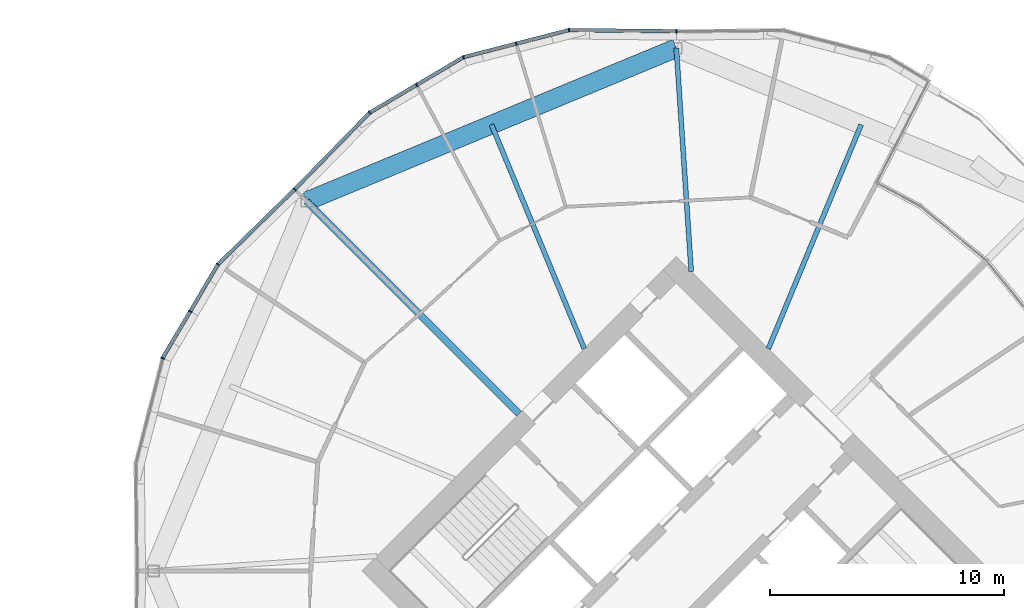
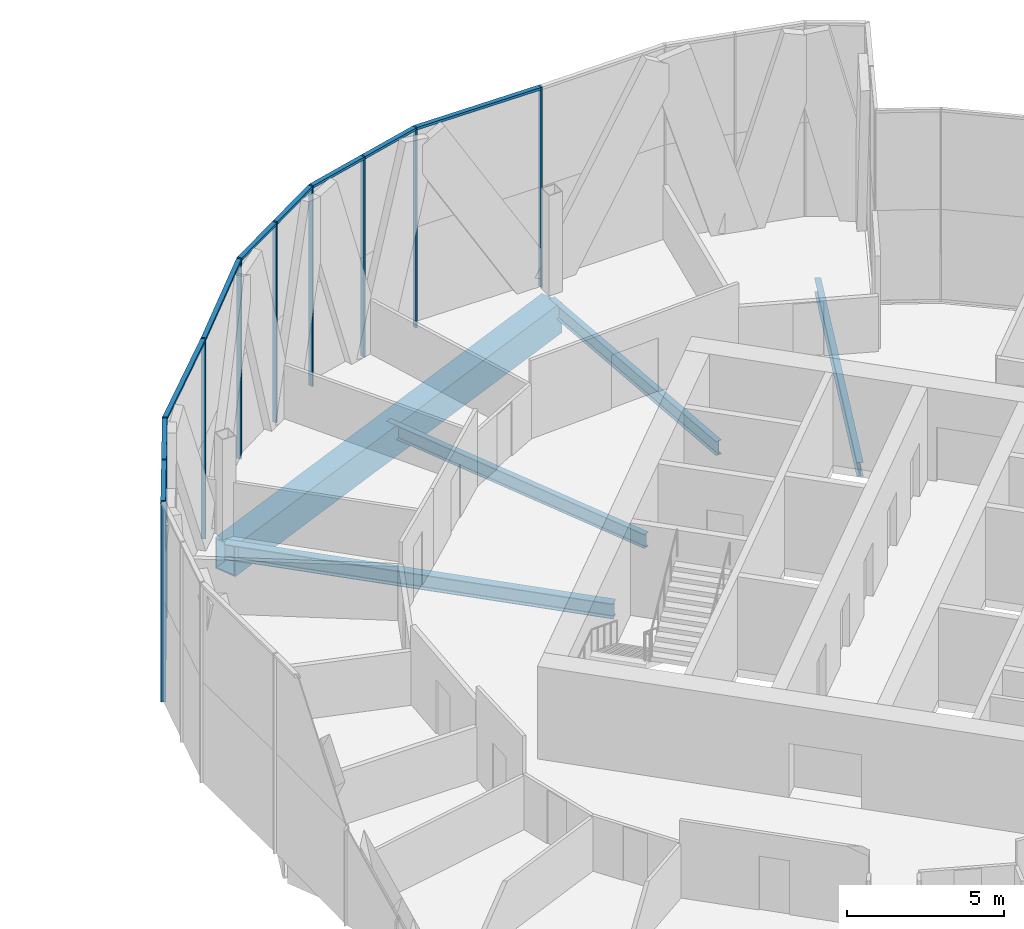
# One storey, part 14 of 27: 19 members, 5 beams, 3 elements without a shape of their own.
"""IFC4 building model written with IfcOpenShell, lengths in metres."""

from ifc_helpers import new_model, si_unit, direction, frame, origin, origin_2d, place, context, subcontext, project, spatial, rectangle, hollow_rectangle, i_section, extrude, material, material_profile, profile_set, type_object, element, aggregate, save


model = new_model("IFC4")

# Units and contexts
model_context = context("Model", 3, precision=1e-05, world=origin(), true_north=direction((0.0, 1.0)))
body_context = subcontext(model_context, "Body", "Model", "MODEL_VIEW")
ifc_project = project(units=[si_unit("LENGTHUNIT", "METRE"), si_unit("AREAUNIT", "SQUARE_METRE"), si_unit("VOLUMEUNIT", "CUBIC_METRE"), si_unit("PLANEANGLEUNIT", "RADIAN"), si_unit("MASSUNIT", "GRAM", prefix="KILO")], contexts=[model_context])

# Site, building, storey
site_placement = place(None, origin())
site = spatial("IfcSite", under=ifc_project, at=site_placement, CompositionType="ELEMENT")
building_placement = place(site_placement, origin())
building = spatial("IfcBuilding", under=site, at=building_placement, Name="Ogive Gate Towers", CompositionType="ELEMENT")
storey_placement = place(building_placement, frame((0.0, 0.0, 123.0)))
storey = spatial("IfcBuildingStorey", under=building, at=storey_placement, Name="L29", CompositionType="ELEMENT", Elevation=123.0)

# Beams
ifc_material_1 = material(Name="Steel SM460", Category="steel")
ifc_material_profile_1 = material_profile(ifc_material_1, hollow_rectangle(XDim=0.800048828125, YDim=1.199951171875, WallThickness=0.050048828125, at=origin_2d()), Name="BX 1200x800x50")
ifc_profile_set_1 = profile_set([ifc_material_profile_1], Name="Steel SM460")
beam_type_1 = type_object("IfcBeamType", Name="Edge girder BX 1200x800x50", PredefinedType="BEAM", material=ifc_profile_set_1)
beam_1_placement = place(storey_placement, frame((36.0, 22.35009765625, -0.89990234375), z_axis=(-0.923880978344, -0.382679941797, 0.0), x_axis=(0.382679941797, -0.923880978344, 0.0)))
element("IfcBeam", 1, at=beam_1_placement, inside=storey, type_object=beam_type_1, Name="T2/L29/SBM022", PredefinedType="BEAM", context=body_context, shape_type="SweptSolid", body=[
    extrude(hollow_rectangle(XDim=0.800048828125, YDim=1.199951171875, WallThickness=0.050048828125, at=origin_2d()), origin(), (0.0, 0.0, 1.0), 17.10595703125),
])
ifc_material_2 = material(Name="Steel SM355", Category="steel")
ifc_material_profile_2 = material_profile(ifc_material_2, i_section(OverallWidth=0.300048828125, OverallDepth=0.590087890625, WebThickness=0.012939453125, FlangeThickness=0.02490234375, FilletRadius=0.027099609375, at=origin_2d()), Name="HE 600 A")
ifc_profile_set_2 = profile_set([ifc_material_profile_2], Name="Steel SM355")
beam_type_2 = type_object("IfcBeamType", Name="Radial floor beam HE 600 A", PredefinedType="BEAM", material=ifc_profile_set_2)
beam_2_placement = place(storey_placement, frame((29.282470703125, 6.717529296875, -0.594970703125), z_axis=(-0.707106781187, 0.707106781187, 0.0), x_axis=(-0.707106781187, -0.707106781187, 0.0)))
element("IfcBeam", 2, at=beam_2_placement, inside=storey, type_object=beam_type_2, Name="T2/L29/SBM013", PredefinedType="BEAM", context=body_context, shape_type="SweptSolid", body=[
    extrude(i_section(OverallWidth=0.300048828125, OverallDepth=0.590087890625, WebThickness=0.012939453125, FlangeThickness=0.02490234375, FilletRadius=0.027099609375, at=origin_2d()), origin(), (0.0, 0.0, 1.0), 12.85009765625),
])
ifc_material_profile_3 = material_profile(ifc_material_2, i_section(OverallWidth=0.2099609375, OverallDepth=0.550048828125, WebThickness=0.010986328125, FlangeThickness=0.01708984375, FilletRadius=0.02392578125, at=origin_2d()), Name="IPE 550")
ifc_profile_set_3 = profile_set([ifc_material_profile_3], Name="Steel SM355")
beam_type_3 = type_object("IfcBeamType", Name="Radial floor beam IPE 550", PredefinedType="BEAM", material=ifc_profile_set_3)
beam_3_placement = place(storey_placement, frame((39.93505859375, 9.5, -0.574951171875), z_axis=(0.382676287498, 0.92388249198, 0.0), x_axis=(-0.92388249198, 0.382676287498, 0.0)))
element("IfcBeam", 3, at=beam_3_placement, inside=storey, type_object=beam_type_3, Name="T2/L29/SBM010", PredefinedType="BEAM", context=body_context, shape_type="SweptSolid", body=[
    extrude(i_section(OverallWidth=0.2099609375, OverallDepth=0.550048828125, WebThickness=0.010986328125, FlangeThickness=0.01708984375, FilletRadius=0.02392578125, at=origin_2d()), origin(), (0.0, 0.0, 1.0), 10.365966796875),
])
beam_4_placement = place(storey_placement, frame((36.636474609375, 12.798583984375, -0.574951171875), z_axis=(-0.066488541289, 0.997787188672, 0.0), x_axis=(-0.997787188672, -0.066488541289, 0.0)))
element("IfcBeam", 4, at=beam_4_placement, inside=storey, type_object=beam_type_3, Name="T2/L29/SBM011", PredefinedType="BEAM", context=body_context, shape_type="SweptSolid", body=[
    extrude(i_section(OverallWidth=0.2099609375, OverallDepth=0.550048828125, WebThickness=0.010986328125, FlangeThickness=0.01708984375, FilletRadius=0.02392578125, at=origin_2d()), origin(), (0.0, 0.0, 1.0), 9.57275390625),
])
beam_5_placement = place(storey_placement, frame((32.06494140625, 9.5, -0.574951171875), z_axis=(-0.382676287498, 0.92388249198, 0.0), x_axis=(-0.92388249198, -0.382676287498, 0.0)))
element("IfcBeam", 5, at=beam_5_placement, inside=storey, type_object=beam_type_3, Name="T2/L29/SBM012", PredefinedType="BEAM", context=body_context, shape_type="SweptSolid", body=[
    extrude(i_section(OverallWidth=0.2099609375, OverallDepth=0.550048828125, WebThickness=0.010986328125, FlangeThickness=0.01708984375, FilletRadius=0.02392578125, at=origin_2d()), origin(), (0.0, 0.0, 1.0), 10.365966796875),
])

# Curtain wall, member
ifc_material_3 = material(Name="Pale metal aluminium", Category="aluminium")
curtain_wall_type = type_object("IfcCurtainWallType", Name="Tower unitised wall, low zone", PredefinedType="NOTDEFINED", material=ifc_material_3)
curtain_wall_1_placement = place(storey_placement, origin())
curtain_wall_1 = element("IfcCurtainWall", 6, at=curtain_wall_1_placement, inside=storey, type_object=curtain_wall_type, Name="CW1 T2 ECW04", PredefinedType="NOTDEFINED")
ifc_material_profile_4 = material_profile(ifc_material_3, rectangle(XDim=0.159912109375, YDim=0.06005859375, at=origin_2d()), Name="60 x 160 aluminium box")
ifc_profile_set_4 = profile_set([ifc_material_profile_4], Name="Pale metal aluminium")
member_type_1 = type_object("IfcMemberType", Name="Tower unitised wall, low zone mullion 60 x 160", PredefinedType="MULLION", material=ifc_profile_set_4)
member_1_placement = place(storey_placement, frame((35.999755859375, 23.070068359375, -0.300048828125), z_axis=(0.0, 0.0, 1.0), x_axis=(0.010820830182, -0.999941453103, 0.0)))
member_1 = element("IfcMember", 7, at=member_1_placement, type_object=member_type_1, Name="CW1 mullion", PredefinedType="MULLION", context=body_context, shape_type="SweptSolid", body=[
    extrude(rectangle(XDim=0.159912109375, YDim=0.06005859375, at=origin_2d()), origin(), (0.0, 0.0, 1.0), 7.800048828125),
])
aggregate(curtain_wall_1, [member_1])

# Curtain wall, members
curtain_wall_2_placement = place(storey_placement, origin())
curtain_wall_2 = element("IfcCurtainWall", 8, at=curtain_wall_2_placement, inside=storey, type_object=curtain_wall_type, Name="CW1 T2 ECW05", PredefinedType="NOTDEFINED")
member_2_placement = place(storey_placement, frame((19.68701171875, 16.312744140625, -0.300048828125), z_axis=(0.0, 0.0, 1.0), x_axis=(0.714704657494, -0.699426373935, 0.0)))
member_2 = element("IfcMember", 9, at=member_2_placement, type_object=member_type_1, Name="CW1 mullion", PredefinedType="MULLION", context=body_context, shape_type="SweptSolid", body=[
    extrude(rectangle(XDim=0.159912109375, YDim=0.06005859375, at=origin_2d()), origin(), (0.0, 0.0, 1.0), 7.800048828125),
])
member_3_placement = place(storey_placement, frame((22.897216796875, 19.593017578125, -0.300048828125), z_axis=(0.0, 0.0, 1.0), x_axis=(0.6171182794, -0.786870401801, 0.0)))
member_3 = element("IfcMember", 10, at=member_3_placement, type_object=member_type_1, Name="CW1 mullion", PredefinedType="MULLION", context=body_context, shape_type="SweptSolid", body=[
    extrude(rectangle(XDim=0.159912109375, YDim=0.06005859375, at=origin_2d()), origin(), (0.0, 0.0, 1.0), 7.800048828125),
])
member_4_placement = place(storey_placement, frame((24.900146484375, 20.77734375, -0.300048828125), z_axis=(0.0, 0.0, 1.0), x_axis=(0.508951276265, -0.860795328977, 0.0)))
member_4 = element("IfcMember", 11, at=member_4_placement, type_object=member_type_1, Name="CW1 mullion", PredefinedType="MULLION", context=body_context, shape_type="SweptSolid", body=[
    extrude(rectangle(XDim=0.159912109375, YDim=0.06005859375, at=origin_2d()), origin(), (0.0, 0.0, 1.0), 7.800048828125),
])
member_5_placement = place(storey_placement, frame((26.9033203125, 21.961669921875, -0.300048828125), z_axis=(0.0, 0.0, 1.0), x_axis=(0.382683432365, -0.923879532511, 0.0)))
member_5 = element("IfcMember", 12, at=member_5_placement, type_object=member_type_1, Name="CW1 mullion", PredefinedType="MULLION", context=body_context, shape_type="SweptSolid", body=[
    extrude(rectangle(XDim=0.159912109375, YDim=0.06005859375, at=origin_2d()), origin(), (0.0, 0.0, 1.0), 7.800048828125),
])
member_6_placement = place(storey_placement, frame((29.156982421875, 22.540771484375, -0.300048828125), z_axis=(0.0, 0.0, 1.0), x_axis=(0.248808220065, -0.968552770699, 0.0)))
member_6 = element("IfcMember", 13, at=member_6_placement, type_object=member_type_1, Name="CW1 mullion", PredefinedType="MULLION", context=body_context, shape_type="SweptSolid", body=[
    extrude(rectangle(XDim=0.159912109375, YDim=0.06005859375, at=origin_2d()), origin(), (0.0, 0.0, 1.0), 7.800048828125),
])
member_7_placement = place(storey_placement, frame((31.41064453125, 23.119384765625, -0.300048828125), z_axis=(0.0, 0.0, 1.0), x_axis=(0.12003287687, -0.992769917186, 0.0)))
member_7 = element("IfcMember", 14, at=member_7_placement, type_object=member_type_1, Name="CW1 mullion", PredefinedType="MULLION", context=body_context, shape_type="SweptSolid", body=[
    extrude(rectangle(XDim=0.159912109375, YDim=0.06005859375, at=origin_2d()), origin(), (0.0, 0.0, 1.0), 7.800048828125),
])

curtain_wall_3_placement = place(storey_placement, origin())
curtain_wall_3 = element("IfcCurtainWall", 15, at=curtain_wall_3_placement, inside=storey, type_object=curtain_wall_type, Name="CW1 T2 ECW06", PredefinedType="NOTDEFINED")
member_8_placement = place(storey_placement, frame((14.038330078125, 9.0966796875, -0.300048828125), z_axis=(0.0, 0.0, 1.0), x_axis=(0.923879532511, -0.382683432365, 0.0)))
member_8 = element("IfcMember", 16, at=member_8_placement, type_object=member_type_1, Name="CW1 mullion", PredefinedType="MULLION", context=body_context, shape_type="SweptSolid", body=[
    extrude(rectangle(XDim=0.159912109375, YDim=0.06005859375, at=origin_2d()), origin(), (0.0, 0.0, 1.0), 7.800048828125),
])
member_9_placement = place(storey_placement, frame((15.22265625, 11.099853515625, -0.300048828125), z_axis=(0.0, 0.0, 1.0), x_axis=(0.860795328977, -0.508951276265, 0.0)))
member_9 = element("IfcMember", 17, at=member_9_placement, type_object=member_type_1, Name="CW1 mullion", PredefinedType="MULLION", context=body_context, shape_type="SweptSolid", body=[
    extrude(rectangle(XDim=0.159912109375, YDim=0.06005859375, at=origin_2d()), origin(), (0.0, 0.0, 1.0), 7.800048828125),
])
member_10_placement = place(storey_placement, frame((16.406982421875, 13.102783203125, -0.300048828125), z_axis=(0.0, 0.0, 1.0), x_axis=(0.786870401801, -0.6171182794, 0.0)))
member_10 = element("IfcMember", 18, at=member_10_placement, type_object=member_type_1, Name="CW1 mullion", PredefinedType="MULLION", context=body_context, shape_type="SweptSolid", body=[
    extrude(rectangle(XDim=0.159912109375, YDim=0.06005859375, at=origin_2d()), origin(), (0.0, 0.0, 1.0), 7.800048828125),
])

# Member
ifc_material_profile_5 = material_profile(ifc_material_3, rectangle(XDim=0.159912109375, YDim=0.10009765625, at=origin_2d()), Name="100 x 160 aluminium box")
ifc_profile_set_5 = profile_set([ifc_material_profile_5], Name="Pale metal aluminium")
member_type_2 = type_object("IfcMemberType", Name="Tower unitised wall, low zone transom 100 x 160", PredefinedType="USERDEFINED", material=ifc_profile_set_5)
member_11_placement = place(storey_placement, frame((19.7080078125, 16.334228515625, 7.449951171875), z_axis=(0.699407370594, 0.714723254105, 0.0), x_axis=(-0.714723254105, 0.699407370594, 0.0)))
member_11 = element("IfcMember", 19, at=member_11_placement, type_object=member_type_2, Name="CW1 transom", ObjectType="TRANSOM", PredefinedType="USERDEFINED", context=body_context, shape_type="SweptSolid", body=[
    extrude(rectangle(XDim=0.159912109375, YDim=0.10009765625, at=origin_2d()), origin(), (0.0, 0.0, 1.0), 4.527099609375),
])

member_12_placement = place(storey_placement, frame((22.92529296875, 19.60986328125, 7.449951171875), z_axis=(0.860795553195, 0.508950897041, 0.0), x_axis=(-0.508950897041, 0.860795553195, 0.0)))
member_12 = element("IfcMember", 20, at=member_12_placement, type_object=member_type_2, Name="CW1 transom", ObjectType="TRANSOM", PredefinedType="USERDEFINED", context=body_context, shape_type="SweptSolid", body=[
    extrude(rectangle(XDim=0.159912109375, YDim=0.10009765625, at=origin_2d()), origin(), (0.0, 0.0, 1.0), 2.26416015625),
])

member_13_placement = place(storey_placement, frame((24.92578125, 20.792724609375, 7.449951171875), z_axis=(0.860823480254, 0.508903660671, 0.0), x_axis=(-0.508903660671, 0.860823480254, 0.0)))
member_13 = element("IfcMember", 21, at=member_13_placement, type_object=member_type_2, Name="CW1 transom", ObjectType="TRANSOM", PredefinedType="USERDEFINED", context=body_context, shape_type="SweptSolid", body=[
    extrude(rectangle(XDim=0.159912109375, YDim=0.10009765625, at=origin_2d()), origin(), (0.0, 0.0, 1.0), 2.264404296875),
])

member_14_placement = place(storey_placement, frame((26.93505859375, 21.969970703125, 7.449951171875), z_axis=(0.968562004633, 0.248772271731, 0.0), x_axis=(-0.248772271731, 0.968562004633, 0.0)))
member_14 = element("IfcMember", 22, at=member_14_placement, type_object=member_type_2, Name="CW1 transom", ObjectType="TRANSOM", PredefinedType="USERDEFINED", context=body_context, shape_type="SweptSolid", body=[
    extrude(rectangle(XDim=0.159912109375, YDim=0.10009765625, at=origin_2d()), origin(), (0.0, 0.0, 1.0), 2.26416015625),
])

member_15_placement = place(storey_placement, frame((29.18603515625, 22.548095703125, 7.449951171875), z_axis=(0.968536017377, 0.248873427756, 0.0), x_axis=(-0.248873427756, 0.968536017377, 0.0)))
member_15 = element("IfcMember", 23, at=member_15_placement, type_object=member_type_2, Name="CW1 transom", ObjectType="TRANSOM", PredefinedType="USERDEFINED", context=body_context, shape_type="SweptSolid", body=[
    extrude(rectangle(XDim=0.159912109375, YDim=0.10009765625, at=origin_2d()), origin(), (0.0, 0.0, 1.0), 2.26416015625),
])

member_16_placement = place(storey_placement, frame((31.443115234375, 23.119384765625, 7.449951171875), z_axis=(0.999941255954, -0.01083903319, 0.0), x_axis=(0.01083903319, 0.999941255954, 0.0)))
member_16 = element("IfcMember", 24, at=member_16_placement, type_object=member_type_2, Name="CW1 transom", ObjectType="TRANSOM", PredefinedType="USERDEFINED", context=body_context, shape_type="SweptSolid", body=[
    extrude(rectangle(XDim=0.159912109375, YDim=0.10009765625, at=origin_2d()), origin(), (0.0, 0.0, 1.0), 4.52734375),
])

aggregate(curtain_wall_2, [member_2, member_3, member_11, member_4, member_12, member_5, member_13, member_6, member_14, member_7, member_15, member_16])

member_17_placement = place(storey_placement, frame((14.054931640625, 9.125, 7.449951171875), z_axis=(0.508903660671, 0.860823480254, 0.0), x_axis=(-0.860823480254, 0.508903660671, 0.0)))
member_17 = element("IfcMember", 25, at=member_17_placement, type_object=member_type_2, Name="CW1 transom", ObjectType="TRANSOM", PredefinedType="USERDEFINED", context=body_context, shape_type="SweptSolid", body=[
    extrude(rectangle(XDim=0.159912109375, YDim=0.10009765625, at=origin_2d()), origin(), (0.0, 0.0, 1.0), 2.264404296875),
])

member_18_placement = place(storey_placement, frame((15.23779296875, 11.125732421875, 7.449951171875), z_axis=(0.508950897041, 0.860795553195, 0.0), x_axis=(-0.860795553195, 0.508950897041, 0.0)))
member_18 = element("IfcMember", 26, at=member_18_placement, type_object=member_type_2, Name="CW1 transom", ObjectType="TRANSOM", PredefinedType="USERDEFINED", context=body_context, shape_type="SweptSolid", body=[
    extrude(rectangle(XDim=0.159912109375, YDim=0.10009765625, at=origin_2d()), origin(), (0.0, 0.0, 1.0), 2.26416015625),
])

member_19_placement = place(storey_placement, frame((16.43017578125, 13.125732421875, 7.449951171875), z_axis=(0.714723254105, 0.699407370594, 0.0), x_axis=(-0.699407370594, 0.714723254105, 0.0)))
member_19 = element("IfcMember", 27, at=member_19_placement, type_object=member_type_2, Name="CW1 transom", ObjectType="TRANSOM", PredefinedType="USERDEFINED", context=body_context, shape_type="SweptSolid", body=[
    extrude(rectangle(XDim=0.159912109375, YDim=0.10009765625, at=origin_2d()), origin(), (0.0, 0.0, 1.0), 4.527099609375),
])

aggregate(curtain_wall_3, [member_8, member_9, member_17, member_10, member_18, member_19])

save(model, "model.ifc")
